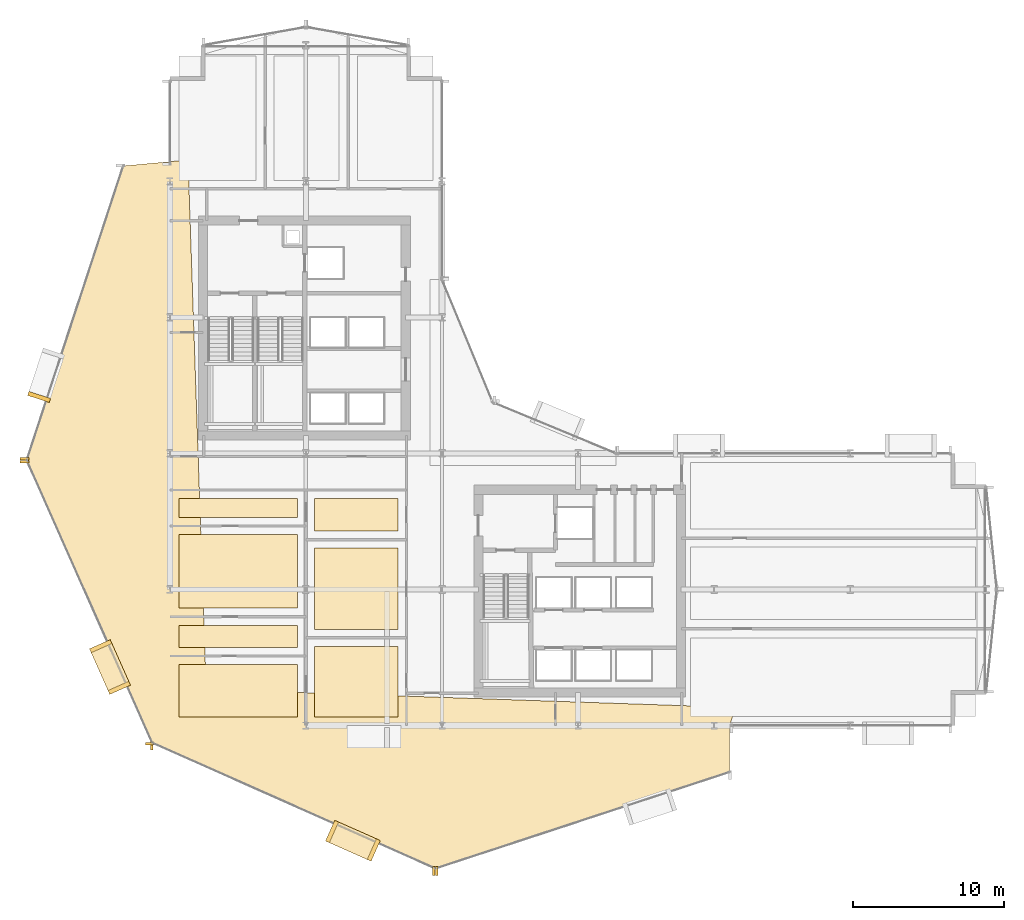
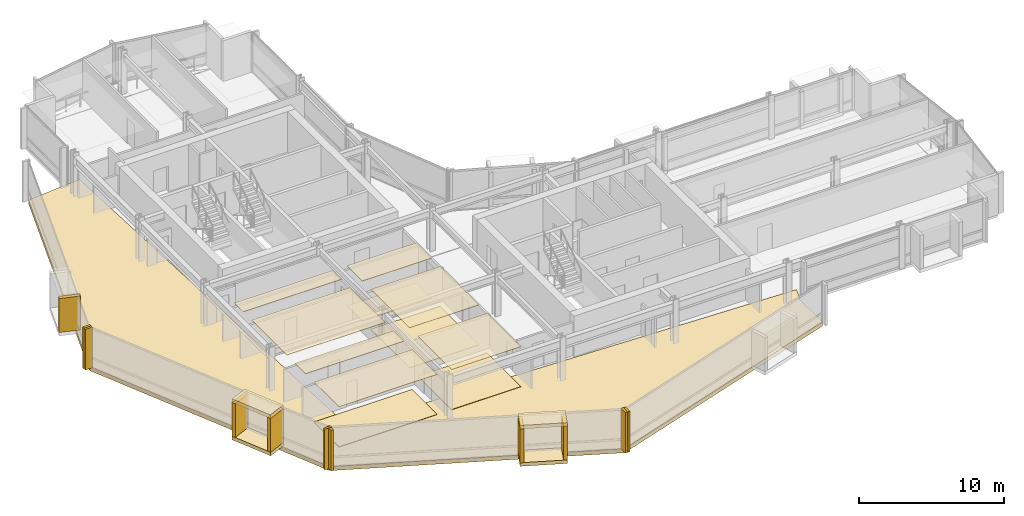
# One storey, part 30 of 34: 27 coverings.
"""IFC4 building model written with IfcOpenShell, lengths in metres."""

from ifc_helpers import new_model, si_unit, direction, frame, origin, origin_2d, place, context, subcontext, project, spatial, polyline, rectangle, outline, extrude, material, layer, layer_set, type_object, element, save


model = new_model("IFC4")

# Units and contexts
model_context = context("Model", 3, precision=1e-05, world=origin(), true_north=direction((0.0, 1.0)))
body_context = subcontext(model_context, "Body", "Model", "MODEL_VIEW")
ifc_project = project(units=[si_unit("LENGTHUNIT", "METRE"), si_unit("AREAUNIT", "SQUARE_METRE"), si_unit("VOLUMEUNIT", "CUBIC_METRE"), si_unit("PLANEANGLEUNIT", "RADIAN"), si_unit("MASSUNIT", "GRAM", prefix="KILO")], contexts=[model_context])

# Site, building, storey
site_placement = place(None, origin())
site = spatial("IfcSite", under=ifc_project, at=site_placement, CompositionType="ELEMENT")
building_placement = place(site_placement, origin())
building = spatial("IfcBuilding", under=site, at=building_placement, Name="Solvaryn Broadcast Tower", CompositionType="ELEMENT")
storey_placement = place(building_placement, frame((0.0, 0.0, 43.39990234375)))
storey = spatial("IfcBuildingStorey", under=building, at=storey_placement, Name="L09", CompositionType="ELEMENT", Elevation=43.39990234375)

# Coverings
ifc_material_1 = material(Name="Micro-Perforated Acoustic Gypsum Ceiling", Category="concrete")
ifc_layer_1 = layer(ifc_material_1, 0.0400390625)
ifc_layer_set_1 = layer_set([ifc_layer_1], Name="CV-CEIL-ACOUSTIC")
covering_type_1 = type_object("IfcCoveringType", Name="CV-CEIL-ACOUSTIC", PredefinedType="CEILING", material=ifc_layer_set_1)
covering_1_placement = place(storey_placement, frame((0.0, 0.0, 3.380126953125)))
element("IfcCovering", 1, at=covering_1_placement, inside=storey, type_object=covering_type_1, Name="L09 Room Acoustic Ceiling 1", PredefinedType="CEILING", context=body_context, shape_type="SweptSolid", body=[
    extrude(outline(polyline([(18.570068359375, 9.570068359375), (24.10009765625, 9.570068359375), (24.10009765625, 14.22998046875), (18.570068359375, 14.22998046875), (18.570068359375, 9.570068359375)])), origin(), (0.0, 0.0, 1.0), 0.0400390625),
])
covering_2_placement = place(storey_placement, frame((0.0, 0.0, 3.380126953125)))
element("IfcCovering", 2, at=covering_2_placement, inside=storey, type_object=covering_type_1, Name="L09 Room Acoustic Ceiling 2", PredefinedType="CEILING", context=body_context, shape_type="SweptSolid", body=[
    extrude(outline(polyline([(18.570068359375, 15.3701171875), (24.10009765625, 15.3701171875), (24.10009765625, 20.72998046875), (18.570068359375, 20.72998046875), (18.570068359375, 15.3701171875)])), origin(), (0.0, 0.0, 1.0), 0.0400390625),
])
covering_3_placement = place(storey_placement, frame((0.0, 0.0, 3.380126953125)))
element("IfcCovering", 3, at=covering_3_placement, inside=storey, type_object=covering_type_1, Name="L09 Room Acoustic Ceiling 3", PredefinedType="CEILING", context=body_context, shape_type="SweptSolid", body=[
    extrude(outline(polyline([(18.570068359375, 21.8701171875), (24.10009765625, 21.8701171875), (24.10009765625, 24.010009765625), (18.570068359375, 24.010009765625), (18.570068359375, 21.8701171875)])), origin(), (0.0, 0.0, 1.0), 0.0400390625),
])
covering_4_placement = place(storey_placement, frame((0.0, 0.0, 3.380126953125)))
element("IfcCovering", 4, at=covering_4_placement, inside=storey, type_object=covering_type_1, Name="L09 Room Acoustic Ceiling 4", PredefinedType="CEILING", context=body_context, shape_type="SweptSolid", body=[
    extrude(outline(polyline([(9.60009765625, 9.570068359375), (17.429931640625, 9.570068359375), (17.429931640625, 13.030029296875), (9.60009765625, 13.030029296875), (9.60009765625, 9.570068359375)])), origin(), (0.0, 0.0, 1.0), 0.0400390625),
])
covering_5_placement = place(storey_placement, frame((0.0, 0.0, 3.380126953125)))
element("IfcCovering", 5, at=covering_5_placement, inside=storey, type_object=covering_type_1, Name="L09 Room Acoustic Ceiling 5", PredefinedType="CEILING", context=body_context, shape_type="SweptSolid", body=[
    extrude(outline(polyline([(9.60009765625, 14.169921875), (17.429931640625, 14.169921875), (17.429931640625, 15.6298828125), (9.60009765625, 15.6298828125), (9.60009765625, 14.169921875)])), origin(), (0.0, 0.0, 1.0), 0.0400390625),
])
covering_6_placement = place(storey_placement, frame((0.0, 0.0, 3.380126953125)))
element("IfcCovering", 6, at=covering_6_placement, inside=storey, type_object=covering_type_1, Name="L09 Room Acoustic Ceiling 6", PredefinedType="CEILING", context=body_context, shape_type="SweptSolid", body=[
    extrude(outline(polyline([(9.60009765625, 16.77001953125), (17.429931640625, 16.77001953125), (17.429931640625, 21.6298828125), (9.60009765625, 21.6298828125), (9.60009765625, 16.77001953125)])), origin(), (0.0, 0.0, 1.0), 0.0400390625),
])
covering_7_placement = place(storey_placement, frame((0.0, 0.0, 3.380126953125)))
element("IfcCovering", 7, at=covering_7_placement, inside=storey, type_object=covering_type_1, Name="L09 Room Acoustic Ceiling 7", PredefinedType="CEILING", context=body_context, shape_type="SweptSolid", body=[
    extrude(outline(polyline([(9.60009765625, 22.77001953125), (17.429931640625, 22.77001953125), (17.429931640625, 24.010009765625), (9.60009765625, 24.010009765625), (9.60009765625, 22.77001953125)])), origin(), (0.0, 0.0, 1.0), 0.0400390625),
])
ifc_material_2 = material(Name="Newsroom Raised Data Access Flooring", Category="steel")
ifc_layer_2 = layer(ifc_material_2, 0.050048828125)
ifc_layer_set_2 = layer_set([ifc_layer_2], Name="CV-FLOOR-RAISED")
covering_type_2 = type_object("IfcCoveringType", Name="CV-FLOOR-RAISED", PredefinedType="FLOORING", material=ifc_layer_set_2)
covering_8_placement = place(storey_placement, origin())
element("IfcCovering", 8, at=covering_8_placement, inside=storey, type_object=covering_type_2, Name="L09 Room Acoustic Floor Finish 1", PredefinedType="FLOORING", context=body_context, shape_type="SweptSolid", body=[
    extrude(outline(polyline([(18.570068359375, 9.570068359375), (24.10009765625, 9.570068359375), (24.10009765625, 14.22998046875), (18.570068359375, 14.22998046875), (18.570068359375, 9.570068359375)])), origin(), (0.0, 0.0, 1.0), 0.050048828125),
])
covering_9_placement = place(storey_placement, origin())
element("IfcCovering", 9, at=covering_9_placement, inside=storey, type_object=covering_type_2, Name="L09 Room Acoustic Floor Finish 2", PredefinedType="FLOORING", context=body_context, shape_type="SweptSolid", body=[
    extrude(outline(polyline([(18.570068359375, 15.3701171875), (24.10009765625, 15.3701171875), (24.10009765625, 20.72998046875), (18.570068359375, 20.72998046875), (18.570068359375, 15.3701171875)])), origin(), (0.0, 0.0, 1.0), 0.050048828125),
])
covering_10_placement = place(storey_placement, origin())
element("IfcCovering", 10, at=covering_10_placement, inside=storey, type_object=covering_type_2, Name="L09 Room Acoustic Floor Finish 3", PredefinedType="FLOORING", context=body_context, shape_type="SweptSolid", body=[
    extrude(outline(polyline([(18.570068359375, 21.8701171875), (24.10009765625, 21.8701171875), (24.10009765625, 24.010009765625), (18.570068359375, 24.010009765625), (18.570068359375, 21.8701171875)])), origin(), (0.0, 0.0, 1.0), 0.050048828125),
])
covering_11_placement = place(storey_placement, origin())
element("IfcCovering", 11, at=covering_11_placement, inside=storey, type_object=covering_type_2, Name="L09 Room Acoustic Floor Finish 4", PredefinedType="FLOORING", context=body_context, shape_type="SweptSolid", body=[
    extrude(outline(polyline([(9.60009765625, 9.570068359375), (17.429931640625, 9.570068359375), (17.429931640625, 13.030029296875), (9.60009765625, 13.030029296875), (9.60009765625, 9.570068359375)])), origin(), (0.0, 0.0, 1.0), 0.050048828125),
])
ifc_material_3 = material(Name="Glazed Architectural Terracotta Rainscreen Cladding", Category="masonry")
ifc_layer_3 = layer(ifc_material_3, 0.280029296875)
ifc_layer_set_3 = layer_set([ifc_layer_3], Name="CV-TC-CLAD")
covering_type_3 = type_object("IfcCoveringType", Name="CV-TC-CLAD", PredefinedType="CLADDING", material=ifc_layer_set_3)
covering_12_placement = place(storey_placement, frame((0.348388671875, 30.73828125, 0.2802734375), z_axis=(0.0, 0.0, 1.0), x_axis=(-0.311671636848, -0.950189870912, 0.0)))
element("IfcCovering", 12, at=covering_12_placement, inside=storey, type_object=covering_type_3, Name="L09 Projecting Stone Window Box Cheek 1-2", PredefinedType="CLADDING", context=body_context, shape_type="SweptSolid", body=[
    extrude(rectangle(XDim=0.280029296875, YDim=1.5, at=origin_2d()), origin(), (0.0, 0.0, 1.0), 2.860107421875),
])
for number, where, z_axis, x_axis, name in (
    (13, (5.035888671875, 12.8720703125, 3.1298828125), (0.0, 0.0, 1.0), (0.405939269498, -0.913900054426, 0.0), "L09 Projecting Stone Window Box Hood 2"),
    (14, (5.035888671875, 12.8720703125, -0.009765625), (0.0, 0.0, 1.0), (0.405939269498, -0.913900054426, 0.0), "L09 Projecting Stone Window Box Sill 2"),
):
    element("IfcCovering", number, at=place(storey_placement, frame(where, z_axis=z_axis, x_axis=x_axis)), inside=storey, type_object=covering_type_3, Name=name, PredefinedType="CLADDING", context=body_context, shape_type="SweptSolid", body=[
        extrude(rectangle(XDim=3.300048828125, YDim=1.5, at=origin_2d()), origin(), (0.0, 0.0, 1.0), 0.300048828125),
    ])
for number, where, z_axis, x_axis, name in (
    (15, (4.423095703125, 14.251953125, 0.2802734375), (0.0, 0.0, 1.0), (0.405939269498, -0.913900054426, 0.0), "L09 Projecting Stone Window Box Cheek 2-1"),
    (16, (5.64892578125, 11.491943359375, 0.2802734375), (0.0, 0.0, 1.0), (0.405939269498, -0.913900054426, 0.0), "L09 Projecting Stone Window Box Cheek 2-2"),
):
    element("IfcCovering", number, at=place(storey_placement, frame(where, z_axis=z_axis, x_axis=x_axis)), inside=storey, type_object=covering_type_3, Name=name, PredefinedType="CLADDING", context=body_context, shape_type="SweptSolid", body=[
        extrude(rectangle(XDim=0.280029296875, YDim=1.5, at=origin_2d()), origin(), (0.0, 0.0, 1.0), 2.860107421875),
    ])
for number, where, z_axis, x_axis, name in (
    (17, (21.10498046875, 1.37890625, 3.1298828125), (0.0, 0.0, 1.0), (0.913900054426, -0.405939269498, 0.0), "L09 Projecting Stone Window Box Hood 3"),
    (18, (21.10498046875, 1.37890625, -0.009765625), (0.0, 0.0, 1.0), (0.913900054426, -0.405939269498, 0.0), "L09 Projecting Stone Window Box Sill 3"),
):
    element("IfcCovering", number, at=place(storey_placement, frame(where, z_axis=z_axis, x_axis=x_axis)), inside=storey, type_object=covering_type_3, Name=name, PredefinedType="CLADDING", context=body_context, shape_type="SweptSolid", body=[
        extrude(rectangle(XDim=3.300048828125, YDim=1.5, at=origin_2d()), origin(), (0.0, 0.0, 1.0), 0.300048828125),
    ])
for number, where, z_axis, x_axis, name in (
    (19, (19.72509765625, 1.991943359375, 0.2802734375), (0.0, 0.0, 1.0), (0.913900054426, -0.405939269498, 0.0), "L09 Projecting Stone Window Box Cheek 3-1"),
    (20, (22.485107421875, 0.76611328125, 0.2802734375), (0.0, 0.0, 1.0), (0.913900054426, -0.405939269498, 0.0), "L09 Projecting Stone Window Box Cheek 3-2"),
):
    element("IfcCovering", number, at=place(storey_placement, frame(where, z_axis=z_axis, x_axis=x_axis)), inside=storey, type_object=covering_type_3, Name=name, PredefinedType="CLADDING", context=body_context, shape_type="SweptSolid", body=[
        extrude(rectangle(XDim=0.280029296875, YDim=1.5, at=origin_2d()), origin(), (0.0, 0.0, 1.0), 2.860107421875),
    ])
ifc_material_4 = material(Name="Extruded Architectural Terracotta Fin", Category="masonry")
ifc_layer_4 = layer(ifc_material_4, 0.179931640625)
ifc_layer_set_4 = layer_set([ifc_layer_4], Name="CV-TC-FIN")
covering_type_4 = type_object("IfcCoveringType", Name="CV-TC-FIN", PredefinedType="USERDEFINED", material=ifc_layer_set_4)
for number, where, z_axis, x_axis, name in (
    (21, (-0.625732421875, 26.644775390625, 0.000244140625), (0.0, 0.0, 1.0), (1.0, 0.0, 0.0), "L09 Terracotta Vertical Fin FIN-L09-DR1-M01"),
    (22, (-0.6162109375, 26.459716796875, 0.000244140625), (0.0, 0.0, 1.0), (1.0, 0.0, 0.0), "L09 Terracotta Vertical Fin FIN-L09-DR2-M00"),
    (23, (7.670654296875, 7.8017578125, 0.000244140625), (0.0, 0.0, 1.0), (1.0, 0.0, 0.0), "L09 Terracotta Vertical Fin FIN-L09-DR2-M01"),
):
    element("IfcCovering", number, at=place(storey_placement, frame(where, z_axis=z_axis, x_axis=x_axis)), inside=storey, type_object=covering_type_4, Name=name, ObjectType="FIN", PredefinedType="USERDEFINED", context=body_context, shape_type="SweptSolid", body=[
        extrude(rectangle(XDim=0.580078125, YDim=0.179931640625, at=origin_2d()), origin(), (0.0, 0.0, 1.0), 3.419921875),
    ])
for number, where, z_axis, x_axis, name in (
    (24, (7.8017578125, 7.670654296875, 0.000244140625), (0.0, 0.0, 1.0), (1.0, 0.0, 0.0), "L09 Terracotta Vertical Fin FIN-L09-DR3-M00"),
    (25, (26.459716796875, -0.6162109375, 0.000244140625), (0.0, 0.0, 1.0), (1.0, 0.0, 0.0), "L09 Terracotta Vertical Fin FIN-L09-DR3-M01"),
    (26, (26.644775390625, -0.625732421875, 0.000244140625), (0.0, 0.0, 1.0), (1.0, 0.0, 0.0), "L09 Terracotta Vertical Fin FIN-L09-DR4-M00"),
):
    element("IfcCovering", number, at=place(storey_placement, frame(where, z_axis=z_axis, x_axis=x_axis)), inside=storey, type_object=covering_type_4, Name=name, ObjectType="FIN", PredefinedType="USERDEFINED", context=body_context, shape_type="SweptSolid", body=[
        extrude(rectangle(XDim=0.179931640625, YDim=0.580078125, at=origin_2d()), origin(), (0.0, 0.0, 1.0), 3.419921875),
    ])
ifc_material_5 = material(Name="Sculpted Architectural Terracotta Wave Fascia", Category="masonry")
ifc_layer_5 = layer(ifc_material_5, 0.340087890625)
ifc_layer_set_5 = layer_set([ifc_layer_5], Name="CV-WAVE-TRAY")
covering_type_5 = type_object("IfcCoveringType", Name="CV-WAVE-TRAY", PredefinedType="CLADDING", material=ifc_layer_set_5)
covering_13_placement = place(storey_placement, frame((0.0, 0.0, -0.2998046875)))
element("IfcCovering", 27, at=covering_13_placement, inside=storey, type_object=covering_type_5, Name="L09 Stepped Cylindrical Drum Floor Apron", PredefinedType="CLADDING", context=body_context, shape_type="SweptSolid", body=[
    extrude(outline(polyline([(10.199951171875, 46.416015625), (5.916015625, 46.01611328125), (-0.464111328125, 26.56005859375), (7.846923828125, 7.846923828125), (26.56005859375, -0.464111328125), (46.01611328125, 5.916015625), (46.01611328125, 9.0), (46.416015625, 10.199951171875), (11.39990234375, 11.39990234375), (10.199951171875, 46.416015625)])), origin(), (0.0, 0.0, 1.0), 0.329833984375),
])

save(model, "model.ifc")
